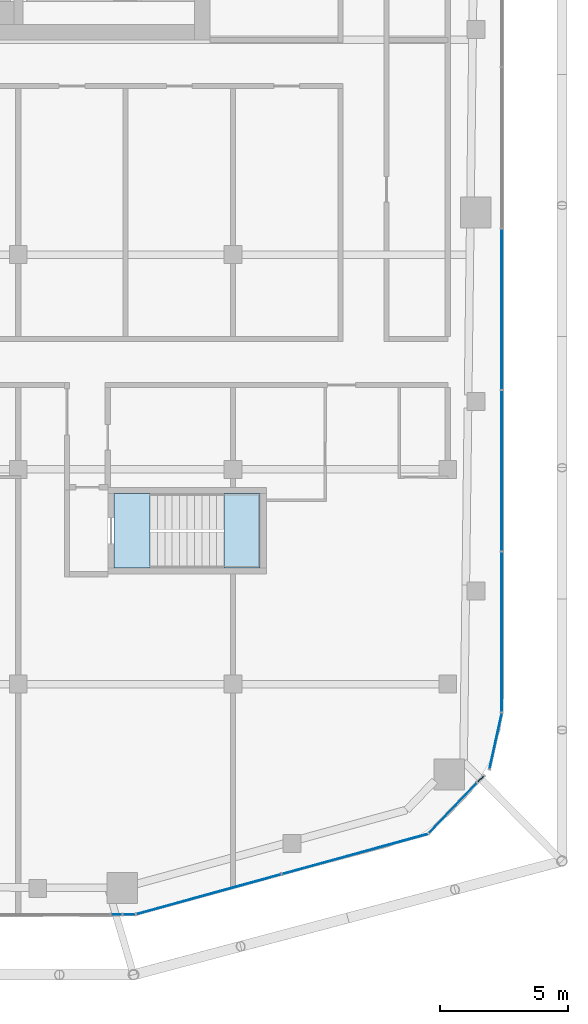
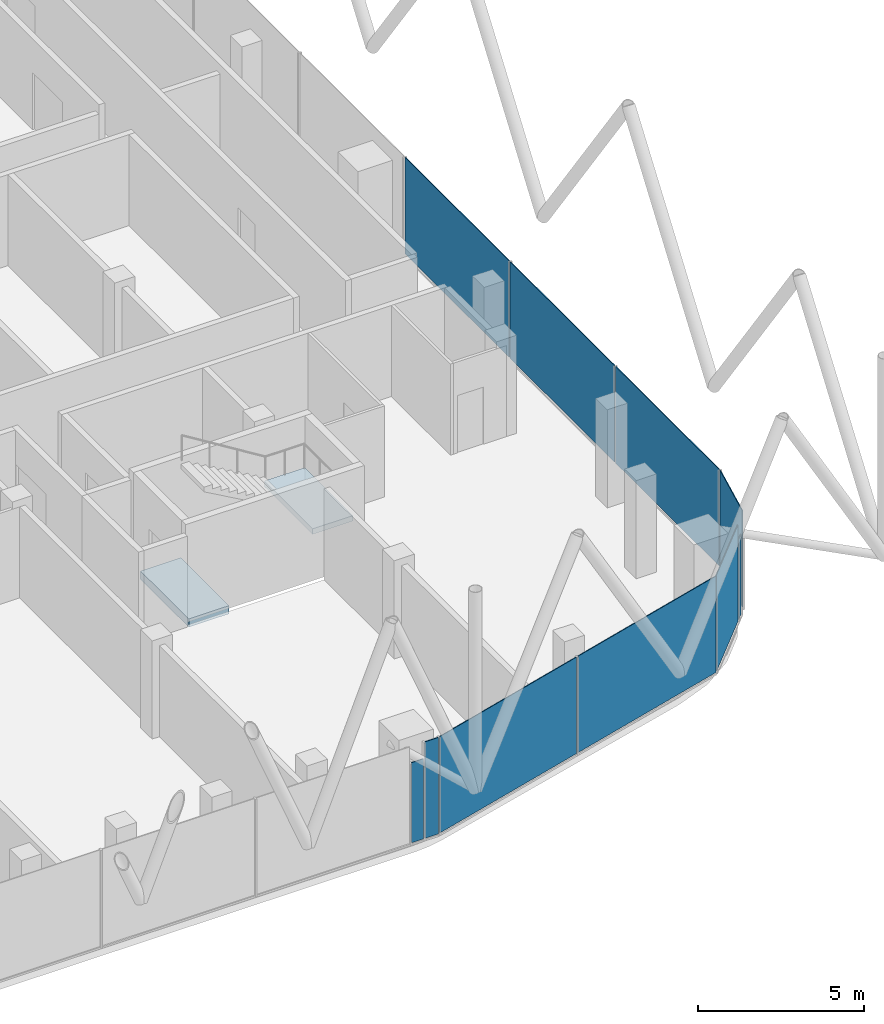
# One storey, part 17 of 27: 10 plates, 2 slabs, 8 elements without a shape of their own.
"""IFC4 building model written with IfcOpenShell, lengths in metres."""

import ifcopenshell
import ifcopenshell.guid

model = None  # the IFC model being written
_history = None  # IfcOwnerHistory: only IFC2X3 demands one
_inside = {}  # id of a spatial element -> (the spatial element, [elements in it])
_under = {}  # id of a project, library or spatial element -> (it, [spatial elements below it])
_declared = {}  # id of a project -> (the project, [libraries it declares])
_typed = {}  # id of a type object -> (the type object, [elements of that type])
_made_of = {}  # id of a material, layer set ... -> (it, [elements and type objects made of it])


def new_model(schema):
    """Start an empty IFC model of exactly this schema.

    Asked for "IFC4X3", IfcOpenShell would pick the latest addendum, in which some entities
    have other attributes; the version numbers below select the first issue.
    IFC2X3 requires an IfcOwnerHistory on every rooted entity: one is made here for all.
    """
    global model, _history
    if schema == "IFC4X3":
        model = ifcopenshell.file(schema_version=(4, 3, 0, 0))
    else:
        model = ifcopenshell.file(schema=schema)
    _inside.clear()
    _under.clear()
    _declared.clear()
    _typed.clear()
    _made_of.clear()
    _history = None
    if model.schema == "IFC2X3":
        org = make("IfcOrganization", Name="unknown")
        user = make(
            "IfcPersonAndOrganization",
            ThePerson=make("IfcPerson", FamilyName="unknown"),
            TheOrganization=org,
        )
        app = make(
            "IfcApplication",
            ApplicationDeveloper=org,
            Version="unknown",
            ApplicationFullName="unknown",
            ApplicationIdentifier="unknown",
        )
        _history = make(
            "IfcOwnerHistory",
            OwningUser=user,
            OwningApplication=app,
            ChangeAction="ADDED",
            CreationDate=0,
        )
    return model


def make(cls, **values):
    """One entity of the class cls with the attributes given. An attribute that is None is left unset."""
    return model.create_entity(
        cls, **{name: value for name, value in values.items() if value is not None}
    )


def rooted(cls, **values):
    """An entity with a GlobalId (a new one), such as an element, a storey or a relation."""
    return make(cls, GlobalId=ifcopenshell.guid.new(), OwnerHistory=_history, **values)


def si_unit(unit_type, name, prefix=None):
    """IfcSIUnit, for example si_unit("LENGTHUNIT", "METRE", prefix="MILLI")."""
    return make("IfcSIUnit", UnitType=unit_type, Prefix=prefix, Name=name)


def assignment(units):
    """IfcUnitAssignment: the units of a project."""
    return None if units is None else make("IfcUnitAssignment", Units=units)


def point(xyz):
    """IfcCartesianPoint."""
    return None if xyz is None else make("IfcCartesianPoint", Coordinates=xyz)


def direction(xyz):
    """IfcDirection."""
    return None if xyz is None else make("IfcDirection", DirectionRatios=xyz)


def frame(location, z_axis=None, x_axis=None):
    """IfcAxis2Placement3D, a coordinate frame: its origin and axes. An axis left out is left unset."""
    return make(
        "IfcAxis2Placement3D",
        Location=point(location),
        Axis=direction(z_axis),
        RefDirection=direction(x_axis),
    )


def frame_2d(location, x_axis=None):
    """IfcAxis2Placement2D, a coordinate frame in the plane: its origin and x axis."""
    return make(
        "IfcAxis2Placement2D", Location=point(location), RefDirection=direction(x_axis)
    )


def origin():
    """The frame at (0, 0, 0) with its axes left unset."""
    return frame((0.0, 0.0, 0.0))


def origin_2d():
    """The frame at (0, 0) in the plane with its x axis left unset."""
    return frame_2d((0.0, 0.0))


def place(relative_to, where):
    """IfcLocalPlacement: puts the frame where relative to a parent placement (None: the world)."""
    return make(
        "IfcLocalPlacement", PlacementRelTo=relative_to, RelativePlacement=where
    )


def context(
    kind, dimensions, precision=None, world=None, true_north=None, identifier=None
):
    """IfcGeometricRepresentationContext, for example the 3D "Model" context."""
    return make(
        "IfcGeometricRepresentationContext",
        ContextIdentifier=identifier,
        ContextType=kind,
        CoordinateSpaceDimension=dimensions,
        Precision=precision,
        WorldCoordinateSystem=world,
        TrueNorth=true_north,
    )


def subcontext(parent, identifier, kind, view, scale=None):
    """IfcGeometricRepresentationSubContext, for example "Body" below "Model"."""
    return make(
        "IfcGeometricRepresentationSubContext",
        ContextIdentifier=identifier,
        ContextType=kind,
        ParentContext=parent,
        TargetScale=scale,
        TargetView=view,
    )


def project(units=None, contexts=None):
    """IfcProject with its units and contexts."""
    return rooted(
        "IfcProject",
        Name="project",
        RepresentationContexts=contexts,
        UnitsInContext=assignment(units),
    )


def spatial(cls, under=None, at=None, **own):
    """A site, building, storey or space (cls), placed at a placement, below another one or the project."""
    s = rooted(cls, ObjectPlacement=at, **own)
    if under is not None:
        _under.setdefault(under.id(), (under, []))[1].append(s)
    return s


def polyline(points):
    """IfcPolyline through the points."""
    return make("IfcPolyline", Points=[point(p) for p in points])


def profile(cls, at=None, kind="AREA", **sizes):
    """A parametric profile (cls). Its sizes go by their IFC names, for example OverallWidth=200.0."""
    return make(cls, ProfileType=kind, Position=at, **sizes)


def rectangle(**sizes):
    """IfcRectangleProfileDef."""
    return profile("IfcRectangleProfileDef", **sizes)


def outline(outer, holes=None, kind="AREA"):
    """IfcArbitraryClosedProfileDef: a profile drawn as a closed curve; with holes, ...WithVoids."""
    if holes is None:
        return make("IfcArbitraryClosedProfileDef", ProfileType=kind, OuterCurve=outer)
    return make(
        "IfcArbitraryProfileDefWithVoids",
        ProfileType=kind,
        OuterCurve=outer,
        InnerCurves=holes,
    )


def extrude(swept, where, along, depth):
    """IfcExtrudedAreaSolid: the profile swept, set in the frame where, extruded along a direction by depth."""
    return make(
        "IfcExtrudedAreaSolid",
        SweptArea=swept,
        Position=where,
        ExtrudedDirection=direction(along),
        Depth=depth,
    )


def shape(context_of_items, identifier, shape_type, items):
    """IfcShapeRepresentation: the items that make up one representation, for example the "Body"."""
    return make(
        "IfcShapeRepresentation",
        ContextOfItems=context_of_items,
        RepresentationIdentifier=identifier,
        RepresentationType=shape_type,
        Items=items,
    )


def material(Name=None, Category=None):
    """IfcMaterial."""
    return make("IfcMaterial", Name=Name, Category=Category)


def layer(
    of_material, thickness, ventilated=None, Name=None, Category=None, Priority=None
):
    """IfcMaterialLayer: one layer of a wall or slab, of a material (None: an air gap)."""
    return make(
        "IfcMaterialLayer",
        Material=of_material,
        LayerThickness=thickness,
        IsVentilated=ventilated,
        Name=Name,
        Category=Category,
        Priority=Priority,
    )


def layer_set(layers, Name=None):
    """IfcMaterialLayerSet."""
    return make("IfcMaterialLayerSet", MaterialLayers=layers, LayerSetName=Name)


def made_of(thing, what):
    """Note that an element or type object is made of a material, layer set ...; save() writes the relation."""
    if what is not None:
        _made_of.setdefault(what.id(), (what, []))[1].append(thing)
    return thing


def type_object(cls, material=None, **own):
    """A type object (cls), such as IfcWallType, which elements share."""
    return made_of(rooted(cls, **own), material)


def element(
    cls,
    number,
    at=None,
    inside=None,
    cuts=None,
    type_object=None,
    material=None,
    context=None,
    identifier="Body",
    shape_type=None,
    held_by="IfcProductDefinitionShape",
    body=None,
    shapes=None,
    **own,
):
    """One element of the class cls, such as IfcWall. Its Tag is "e" and its number.

    at: its placement. inside: the storey or other place that contains it. cuts: it is an
    opening in that element (IfcRelVoidsElement). A single representation is given by context,
    identifier, shape_type and body (its items); several are given by shapes. held_by: the class
    of the entity that holds the representations. save() writes the other relations.
    """
    e = rooted(cls, Tag="e%d" % number, ObjectPlacement=at, **own)
    if body is not None:
        shapes = [shape(context, identifier, shape_type, body)]
    if shapes is not None:
        e.Representation = make(held_by, Representations=shapes)
    if inside is not None:
        _inside.setdefault(inside.id(), (inside, []))[1].append(e)
    if cuts is not None:
        rooted(
            "IfcRelVoidsElement", RelatingBuildingElement=cuts, RelatedOpeningElement=e
        )
    if type_object is not None:
        _typed.setdefault(type_object.id(), (type_object, []))[1].append(e)
    return made_of(e, material)


def aggregate(whole, parts):
    """IfcRelAggregates: a whole, such as a stair, and the parts it consists of."""
    return rooted("IfcRelAggregates", RelatingObject=whole, RelatedObjects=parts)


def save(model, path):
    """Write the relations noted so far, then the file.

    IfcRelAggregates (storeys below a building ...), IfcRelContainedInSpatialStructure (elements
    in a storey), IfcRelDefinesByType, IfcRelAssociatesMaterial and IfcRelDeclares: one each for
    every whole, place, type object, material and project.
    """
    for whole, parts in _under.values():
        aggregate(whole, parts)
    for where, things in _inside.values():
        rooted(
            "IfcRelContainedInSpatialStructure",
            RelatedElements=things,
            RelatingStructure=where,
        )
    for kind, things in _typed.values():
        rooted("IfcRelDefinesByType", RelatedObjects=things, RelatingType=kind)
    for what, things in _made_of.values():
        rooted("IfcRelAssociatesMaterial", RelatedObjects=things, RelatingMaterial=what)
    for by, libraries in _declared.values():
        rooted("IfcRelDeclares", RelatingContext=by, RelatedDefinitions=libraries)
    model.write(path)


model = new_model("IFC4")

# Units and contexts
model_context = context("Model", 3, precision=1e-05, world=origin(), true_north=direction((0.0, 1.0)))
body_context = subcontext(model_context, "Body", "Model", "MODEL_VIEW")
ifc_project = project(units=[si_unit("LENGTHUNIT", "METRE"), si_unit("AREAUNIT", "SQUARE_METRE"), si_unit("VOLUMEUNIT", "CUBIC_METRE"), si_unit("PLANEANGLEUNIT", "RADIAN"), si_unit("MASSUNIT", "GRAM", prefix="KILO")], contexts=[model_context])

# Site, building, storey
site_placement = place(None, origin())
site = spatial("IfcSite", under=ifc_project, at=site_placement, CompositionType="ELEMENT")
building_placement = place(site_placement, origin())
building = spatial("IfcBuilding", under=site, at=building_placement, Name="Marenta Gate Hotel Tower", CompositionType="ELEMENT")
storey_placement = place(building_placement, frame((0.0, 0.0, 270.5)))
storey = spatial("IfcBuildingStorey", under=building, at=storey_placement, Name="L62", CompositionType="ELEMENT", Elevation=270.5)

# Curtain wall, plate
ifc_material_1 = material(Name="Tinted insulated glass in bronze anodised frame", Category="glass")
ifc_layer_1 = layer(ifc_material_1, 0.1201171875)
ifc_layer_set_1 = layer_set([ifc_layer_1], Name="Tinted insulated glass in bronze anodised frame")
curtain_wall_type = type_object("IfcCurtainWallType", Name="Tower unitised curtain wall CW1", PredefinedType="NOTDEFINED", material=ifc_layer_set_1)
curtain_wall_1_placement = place(storey_placement, origin())
curtain_wall_1 = element("IfcCurtainWall", 1, at=curtain_wall_1_placement, inside=storey, type_object=curtain_wall_type, Name="CW1 run G11", PredefinedType="NOTDEFINED")
ifc_material_2 = material(Name="Tinted insulated glass", Category="glass")
ifc_layer_2 = layer(ifc_material_2, 0.028076171875)
ifc_layer_set_2 = layer_set([ifc_layer_2], Name="Tinted insulated glass")
plate_type = type_object("IfcPlateType", Name="Glass panel CW1 28 mm tinted insulated unit", PredefinedType="CURTAIN_PANEL", material=ifc_layer_set_2)
plate_1_placement = place(storey_placement, frame((8.044189453125, -34.213623046875, 0.06005859375), z_axis=(0.0, 0.0, 1.0), x_axis=(0.999997755681, 0.002118639317, 0.0)))
plate_1 = element("IfcPlate", 2, at=plate_1_placement, type_object=plate_type, Name="CW1 panel 1.1", PredefinedType="CURTAIN_PANEL", context=body_context, shape_type="SweptSolid", body=[
    extrude(rectangle(XDim=0.412109375, YDim=0.028076171875, at=origin_2d()), origin(), (0.0, 0.0, 1.0), 2.9404296875),
])
aggregate(curtain_wall_1, [plate_1])

curtain_wall_2_placement = place(storey_placement, origin())
curtain_wall_2 = element("IfcCurtainWall", 3, at=curtain_wall_2_placement, inside=storey, type_object=curtain_wall_type, Name="CW1 run G12", PredefinedType="NOTDEFINED")
plate_2_placement = place(storey_placement, frame((8.54248046875, -34.212646484375, 0.06005859375), z_axis=(0.0, 0.0, 1.0), x_axis=(0.999997804996, 0.002095233492, 0.0)))
plate_2 = element("IfcPlate", 4, at=plate_2_placement, type_object=plate_type, Name="CW1 panel 1.1", PredefinedType="CURTAIN_PANEL", context=body_context, shape_type="SweptSolid", body=[
    extrude(rectangle(XDim=0.465087890625, YDim=0.028076171875, at=origin_2d()), origin(), (0.0, 0.0, 1.0), 3.5400390625),
])
aggregate(curtain_wall_2, [plate_2])

# Curtain wall, plates
curtain_wall_3_placement = place(storey_placement, origin())
curtain_wall_3 = element("IfcCurtainWall", 5, at=curtain_wall_3_placement, inside=storey, type_object=curtain_wall_type, Name="CW1 run G13", PredefinedType="NOTDEFINED")
plate_3_placement = place(storey_placement, frame((11.652099609375, -33.42041015625, 0.06005859375), z_axis=(0.0, 0.0, 1.0), x_axis=(0.964168083707, 0.265292115151, 0.0)))
plate_3 = element("IfcPlate", 6, at=plate_3_placement, type_object=plate_type, Name="CW1 panel 1.1", PredefinedType="CURTAIN_PANEL", context=body_context, shape_type="SweptSolid", body=[
    extrude(rectangle(XDim=5.84765625, YDim=0.028076171875, at=origin_2d()), origin(), (0.0, 0.0, 1.0), 3.5400390625),
])
plate_4_placement = place(storey_placement, frame((17.376708984375, -31.84521484375, 0.06005859375), z_axis=(0.0, 0.0, 1.0), x_axis=(0.964168083707, 0.265292115151, 0.0)))
plate_4 = element("IfcPlate", 7, at=plate_4_placement, type_object=plate_type, Name="CW1 panel 2.1", PredefinedType="CURTAIN_PANEL", context=body_context, shape_type="SweptSolid", body=[
    extrude(rectangle(XDim=5.90771484375, YDim=0.028076171875, at=origin_2d()), origin(), (0.0, 0.0, 1.0), 3.5400390625),
])
aggregate(curtain_wall_3, [plate_3, plate_4])

# Curtain wall, plate
curtain_wall_4_placement = place(storey_placement, origin())
curtain_wall_4 = element("IfcCurtainWall", 8, at=curtain_wall_4_placement, inside=storey, type_object=curtain_wall_type, Name="CW1 run G14", PredefinedType="NOTDEFINED")
plate_5_placement = place(storey_placement, frame((21.19970703125, -30.04638671875, 0.06005859375), z_axis=(0.0, 0.0, 1.0), x_axis=(0.692551470514, 0.721368463885, 0.0)))
plate_5 = element("IfcPlate", 9, at=plate_5_placement, type_object=plate_type, Name="CW1 panel 1.1", PredefinedType="CURTAIN_PANEL", context=body_context, shape_type="SweptSolid", body=[
    extrude(rectangle(XDim=2.6953125, YDim=0.028076171875, at=origin_2d()), origin(), (0.0, 0.0, 1.0), 3.5400390625),
])
aggregate(curtain_wall_4, [plate_5])

curtain_wall_5_placement = place(storey_placement, origin())
curtain_wall_5 = element("IfcCurtainWall", 10, at=curtain_wall_5_placement, inside=storey, type_object=curtain_wall_type, Name="CW1 run G15", PredefinedType="NOTDEFINED")
plate_6_placement = place(storey_placement, frame((22.289794921875, -28.91064453125, 0.06005859375), z_axis=(0.0, 0.0, 1.0), x_axis=(0.692504265233, 0.721413780458, 0.0)))
plate_6 = element("IfcPlate", 11, at=plate_6_placement, type_object=plate_type, Name="CW1 panel 1.1", PredefinedType="CURTAIN_PANEL", context=body_context, shape_type="SweptSolid", body=[
    extrude(rectangle(XDim=0.333251953125, YDim=0.028076171875, at=origin_2d()), origin(), (0.0, 0.0, 1.0), 2.9404296875),
])
aggregate(curtain_wall_5, [plate_6])

curtain_wall_6_placement = place(storey_placement, origin())
curtain_wall_6 = element("IfcCurtainWall", 12, at=curtain_wall_6_placement, inside=storey, type_object=curtain_wall_type, Name="CW1 run G16", PredefinedType="NOTDEFINED")
plate_7_placement = place(storey_placement, frame((22.873779296875, -27.42578125, 0.06005859375), z_axis=(0.0, 0.0, 1.0), x_axis=(0.216842096529, 0.97620669183, 0.0)))
plate_7 = element("IfcPlate", 13, at=plate_7_placement, type_object=plate_type, Name="CW1 panel 1.1", PredefinedType="CURTAIN_PANEL", context=body_context, shape_type="SweptSolid", body=[
    extrude(rectangle(XDim=2.216796875, YDim=0.028076171875, at=origin_2d()), origin(), (0.0, 0.0, 1.0), 3.5400390625),
])
aggregate(curtain_wall_6, [plate_7])

# Curtain wall, plates
curtain_wall_7_placement = place(storey_placement, origin())
curtain_wall_7 = element("IfcCurtainWall", 14, at=curtain_wall_7_placement, inside=storey, type_object=curtain_wall_type, Name="CW1 run G17", PredefinedType="NOTDEFINED")
plate_8_placement = place(storey_placement, frame((23.114013671875, -23.16748046875, 0.06005859375), z_axis=(0.0, 0.0, 1.0), x_axis=(0.0, 1.0, 0.0)))
plate_8 = element("IfcPlate", 15, at=plate_8_placement, type_object=plate_type, Name="CW1 panel 1.1", PredefinedType="CURTAIN_PANEL", context=body_context, shape_type="SweptSolid", body=[
    extrude(rectangle(XDim=6.232666015625, YDim=0.028076171875, at=origin_2d()), origin(), (0.0, 0.0, 1.0), 3.5400390625),
])
plate_9_placement = place(storey_placement, frame((23.114013671875, -16.85986328125, 0.06005859375), z_axis=(0.0, 0.0, 1.0), x_axis=(0.0, 1.0, 0.0)))
plate_9 = element("IfcPlate", 16, at=plate_9_placement, type_object=plate_type, Name="CW1 panel 2.1", PredefinedType="CURTAIN_PANEL", context=body_context, shape_type="SweptSolid", body=[
    extrude(rectangle(XDim=6.2626953125, YDim=0.028076171875, at=origin_2d()), origin(), (0.0, 0.0, 1.0), 3.5400390625),
])
plate_10_placement = place(storey_placement, frame((23.114013671875, -10.537353515625, 0.06005859375), z_axis=(0.0, 0.0, 1.0), x_axis=(0.0, 1.0, 0.0)))
plate_10 = element("IfcPlate", 17, at=plate_10_placement, type_object=plate_type, Name="CW1 panel 3.1", PredefinedType="CURTAIN_PANEL", context=body_context, shape_type="SweptSolid", body=[
    extrude(rectangle(XDim=6.2626953125, YDim=0.028076171875, at=origin_2d()), origin(), (0.0, 0.0, 1.0), 3.5400390625),
])
aggregate(curtain_wall_7, [plate_8, plate_9, plate_10])

# Stair, slab
ifc_material_3 = material(Name="Concrete C40", Category="concrete")
stair_type = type_object("IfcStairType", Name="Remote exit stair 1400 wide", PredefinedType="HALF_TURN_STAIR", material=ifc_material_3)
stair_placement = place(storey_placement, origin())
stair = element("IfcStair", 18, at=stair_placement, inside=storey, type_object=stair_type, Name="Exit stair RS-Z4-1", PredefinedType="HALF_TURN_STAIR")
ifc_material_4 = material(Name="Concrete C40", Category="concrete")
ifc_layer_3 = layer(ifc_material_4, 0.199951171875)
ifc_layer_set_3 = layer_set([ifc_layer_3], Name="Concrete C40")
slab_type_1 = type_object("IfcSlabType", Name="Remote stair landing 200", PredefinedType="LANDING", material=ifc_layer_set_3)
slab_1_placement = place(storey_placement, frame((0.0, 0.0, 1.60009765625)))
slab_1 = element("IfcSlab", 19, at=slab_1_placement, type_object=slab_type_1, Name="RL-200 RS-Z4-1 landing 1", PredefinedType="LANDING", context=body_context, shape_type="SweptSolid", body=[
    extrude(outline(polyline([(12.25, -20.64990234375), (13.64990234375, -20.64990234375), (13.64990234375, -17.75), (12.25, -17.75), (12.25, -20.64990234375)])), origin(), (0.0, 0.0, 1.0), 0.199951171875),
])
aggregate(stair, [slab_1])

# Slab
ifc_material_5 = material(Name="Concrete C40", Category="concrete")
ifc_layer_4 = layer(ifc_material_5, 0.300048828125)
ifc_layer_set_4 = layer_set([ifc_layer_4], Name="Concrete C40")
slab_type_2 = type_object("IfcSlabType", Name="Stair floor landing slab 300", PredefinedType="FLOOR", material=ifc_layer_set_4)
slab_2_placement = place(storey_placement, frame((0.0, 0.0, -0.300048828125)))
element("IfcSlab", 20, at=slab_2_placement, inside=storey, type_object=slab_type_2, Name="L62-RS-Z4-1-CL", PredefinedType="FLOOR", context=body_context, shape_type="SweptSolid", body=[
    extrude(outline(polyline([(9.35009765625, -20.64990234375), (9.35009765625, -17.75), (7.949951171875, -17.75), (7.949951171875, -20.64990234375), (9.35009765625, -20.64990234375)])), origin(), (0.0, 0.0, 1.0), 0.300048828125),
])

save(model, "model.ifc")
